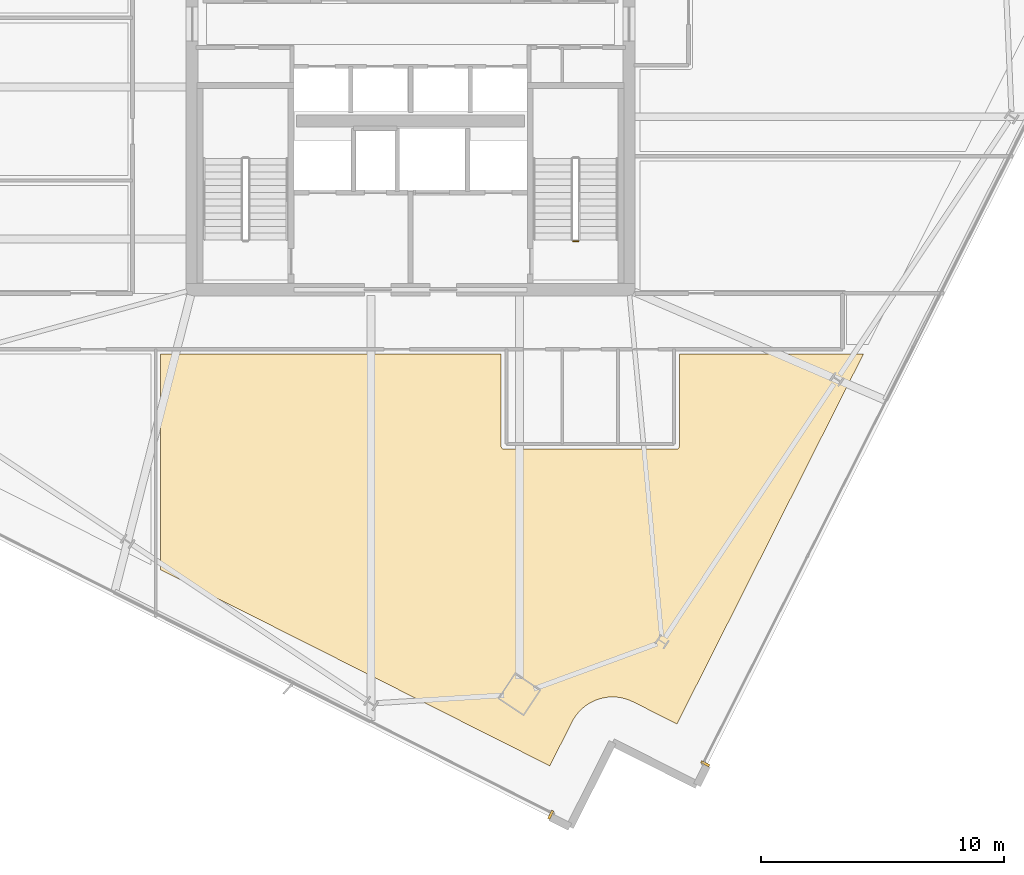
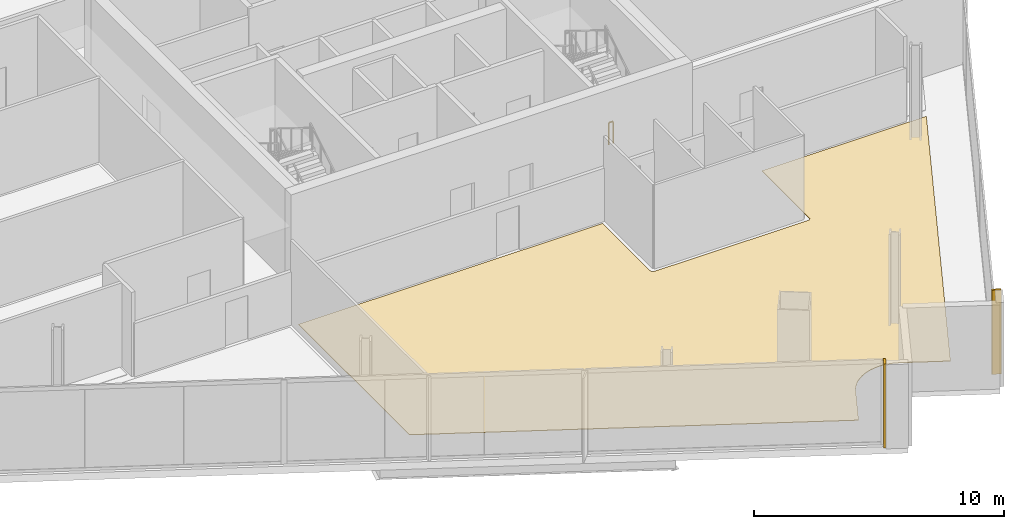
# One storey, part 24 of 27: 3 coverings, 1 railing.
"""IFC4 building model written with IfcOpenShell, lengths in metres."""

from ifc_helpers import new_model, si_unit, direction, frame, origin, origin_2d, place, context, subcontext, project, spatial, polyline, rectangle, outline, extrude, source, transform, mapped, material, layer, layer_set, type_object, element, save


model = new_model("IFC4")

# Units and contexts
model_context = context("Model", 3, precision=1e-05, world=origin(), true_north=direction((0.0, 1.0)))
body_context = subcontext(model_context, "Body", "Model", "MODEL_VIEW")
ifc_project = project(units=[si_unit("LENGTHUNIT", "METRE"), si_unit("AREAUNIT", "SQUARE_METRE"), si_unit("VOLUMEUNIT", "CUBIC_METRE"), si_unit("PLANEANGLEUNIT", "RADIAN"), si_unit("MASSUNIT", "GRAM", prefix="KILO")], contexts=[model_context])

# Site, building, storey
site_placement = place(None, origin())
site = spatial("IfcSite", under=ifc_project, at=site_placement, CompositionType="ELEMENT")
building_placement = place(site_placement, origin())
building = spatial("IfcBuilding", under=site, at=building_placement, Name="Haldenkirk Collegiate Tower", CompositionType="ELEMENT")
storey_placement = place(building_placement, frame((0.0, 0.0, 239.699951171875)))
storey = spatial("IfcBuildingStorey", under=building, at=storey_placement, Name="L60", CompositionType="ELEMENT", Elevation=239.699951171875)

# Covering
ifc_material_1 = material(Name="Polished collegiate terrazzo", Category="concrete")
ifc_layer_1 = layer(ifc_material_1, 0.02490234375)
ifc_layer_set_1 = layer_set([ifc_layer_1], Name="Polished collegiate terrazzo")
covering_type_1 = type_object("IfcCoveringType", Name="COV-FLOOR-TERRAZZO", PredefinedType="FLOORING", material=ifc_layer_set_1)
covering_placement = place(storey_placement, origin())
element("IfcCovering", 1, at=covering_placement, inside=storey, type_object=covering_type_1, Name="L60 academic room finish 02", PredefinedType="FLOORING", context=body_context, shape_type="SweptSolid", body=[
    extrude(outline(polyline([(44.466064453125, 1.216796875), (44.454345703125, 1.2177734375), (44.28271484375, 1.22216796875), (44.27099609375, 1.2216796875), (44.099609375, 1.209228515625), (44.087890625, 1.207763671875), (43.918701171875, 1.178466796875), (43.9072265625, 1.176025390625), (43.74169921875, 1.13037109375), (43.730224609375, 1.126708984375), (43.570068359375, 1.064697265625), (43.559326171875, 1.06005859375), (43.406005859375, 0.98291015625), (43.3955078125, 0.97705078125), (43.25048828125, 0.88525390625), (43.240966796875, 0.87841796875), (43.10546875, 0.77294921875), (43.0966796875, 0.765380859375), (42.97216796875, 0.64697265625), (42.964111328125, 0.638427734375), (42.851806640625, 0.50830078125), (42.844482421875, 0.499267578125), (42.74560546875, 0.35888671875), (42.7392578125, 0.348876953125), (42.654541015625, 0.199462890625), (42.651611328125, 0.194091796875), (41.738037109375, -1.618408203125), (25.699951171875, 6.46533203125), (25.699951171875, 15.35009765625), (39.72998046875, 15.35009765625), (39.72998046875, 11.550048828125), (39.730712890625, 11.5380859375), (39.732421875, 11.526611328125), (39.735107421875, 11.51513671875), (39.739013671875, 11.504150390625), (39.744140625, 11.493408203125), (39.750244140625, 11.4833984375), (39.757080078125, 11.473876953125), (39.76513671875, 11.465087890625), (39.77392578125, 11.457275390625), (39.783203125, 11.4501953125), (39.79345703125, 11.444091796875), (39.80419921875, 11.439208984375), (39.815185546875, 11.435302734375), (39.82666015625, 11.432373046875), (39.838134765625, 11.4306640625), (39.85009765625, 11.429931640625), (46.949951171875, 11.429931640625), (46.9619140625, 11.4306640625), (46.973388671875, 11.432373046875), (46.98486328125, 11.435302734375), (46.995849609375, 11.439208984375), (47.006591796875, 11.444091796875), (47.0166015625, 11.4501953125), (47.026123046875, 11.457275390625), (47.034912109375, 11.465087890625), (47.042724609375, 11.473876953125), (47.0498046875, 11.4833984375), (47.055908203125, 11.493408203125), (47.060791015625, 11.504150390625), (47.064697265625, 11.51513671875), (47.067626953125, 11.526611328125), (47.0693359375, 11.5380859375), (47.070068359375, 11.550048828125), (47.070068359375, 15.35009765625), (54.658203125, 15.35009765625), (46.976318359375, 0.10888671875), (45.163330078125, 1.0224609375), (45.157958984375, 1.02490234375), (45.0009765625, 1.0947265625), (44.989990234375, 1.098876953125), (44.826904296875, 1.15283203125), (44.815673828125, 1.156005859375), (44.64794921875, 1.19384765625), (44.636474609375, 1.19580078125), (44.466064453125, 1.216796875)])), origin(), (0.0, 0.0, 1.0), 0.025146484375),
])

# Railing
ifc_material_2 = material(Name="Painted architectural tubular steel", Category="steel")
railing_type = type_object("IfcRailingType", Name="RLG-STAIR-GUARD-1100", PredefinedType="BALUSTRADE", material=ifc_material_2)
railing_placement = place(storey_placement, frame((42.89990234375, 20.0, 0.0)))
element("IfcRailing", 2, at=railing_placement, inside=storey, type_object=railing_type, Name="L60 ST-2 stair guard 4", PredefinedType="BALUSTRADE", context=body_context, shape_type="SweptSolid", body=[
    extrude(rectangle(XDim=0.048095703125, YDim=0.048095703125, at=origin_2d()), frame((0.0, 0.0, 1.076171875), z_axis=(-1.0, 0.0, 0.0), x_axis=(0.0, -1.0, 0.0)), (0.0, 0.0, 1.0), 0.199951171875),
    extrude(rectangle(XDim=0.0419921875, YDim=0.0419921875, at=origin_2d()), origin(), (0.0, 0.0, 1.0), 1.052001953125),
    extrude(rectangle(XDim=0.0419921875, YDim=0.0419921875, at=origin_2d()), frame((-0.199951171875, 0.0, 0.0)), (0.0, 0.0, 1.0), 1.052001953125),
])

# Coverings
ifc_material_3 = material(Name="Anodised architectural bronze aluminium", Category="aluminium")
ifc_layer_2 = layer(ifc_material_3, 0.06005859375)
ifc_layer_set_2 = layer_set([ifc_layer_2], Name="Anodised architectural bronze aluminium")
covering_type_2 = type_object("IfcCoveringType", Name="COV-CLAD-BRONZE-60", PredefinedType="CLADDING", material=ifc_layer_set_2)
shared_shape = source(origin(), body_context, "Body", "SweptSolid", [
    extrude(rectangle(XDim=0.10009765625, YDim=0.3798828125, at=origin_2d()), origin(), (0.0, 0.0, 1.0), 4.10009765625),
])
for number, where, z_axis, x_axis, name in (
    (3, (48.142578125, -1.53173828125, 0.0), (0.0, 0.0, 1.0), (-0.450098441037, -0.892978943411, 0.0), "L60 recessed curtain-wall bronze jamb closure SJR"),
    (4, (41.7763671875, -3.631103515625, 0.0), (0.0, 0.0, 1.0), (-0.892978943411, 0.450098441037, 0.0), "L60 recessed curtain-wall bronze jamb closure WJL"),
):
    element("IfcCovering", number, at=place(storey_placement, frame(where, z_axis=z_axis, x_axis=x_axis)), inside=storey, type_object=covering_type_2, Name=name, PredefinedType="CLADDING", context=body_context, shape_type="MappedRepresentation", body=[
        mapped(shared_shape, transform((0.0, 0.0, 0.0), x_axis=(1.0, 0.0, 0.0), y_axis=(0.0, 1.0, 0.0), z_axis=(0.0, 0.0, 1.0), scale=1.0)),
    ])

save(model, "model.ifc")
